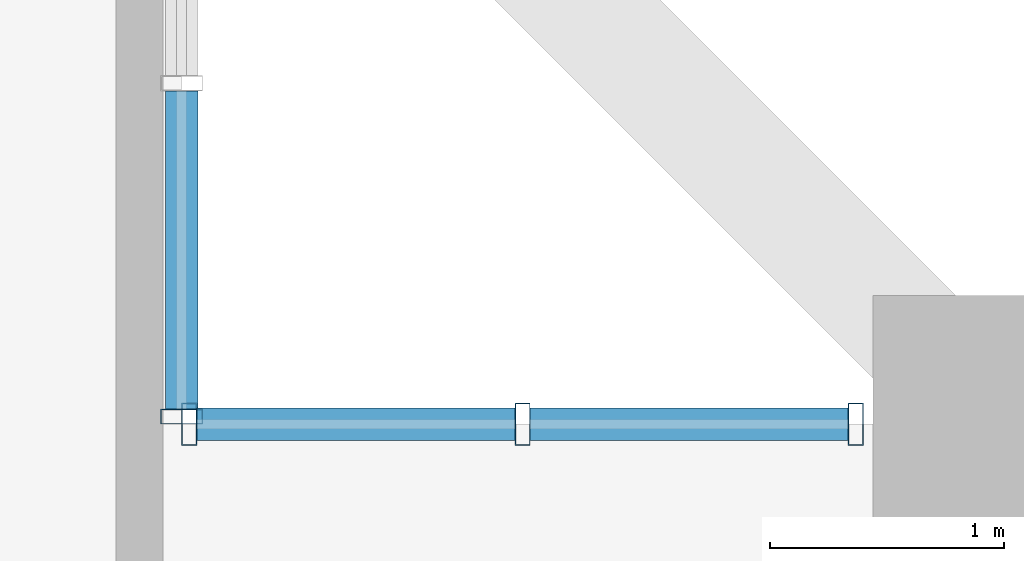
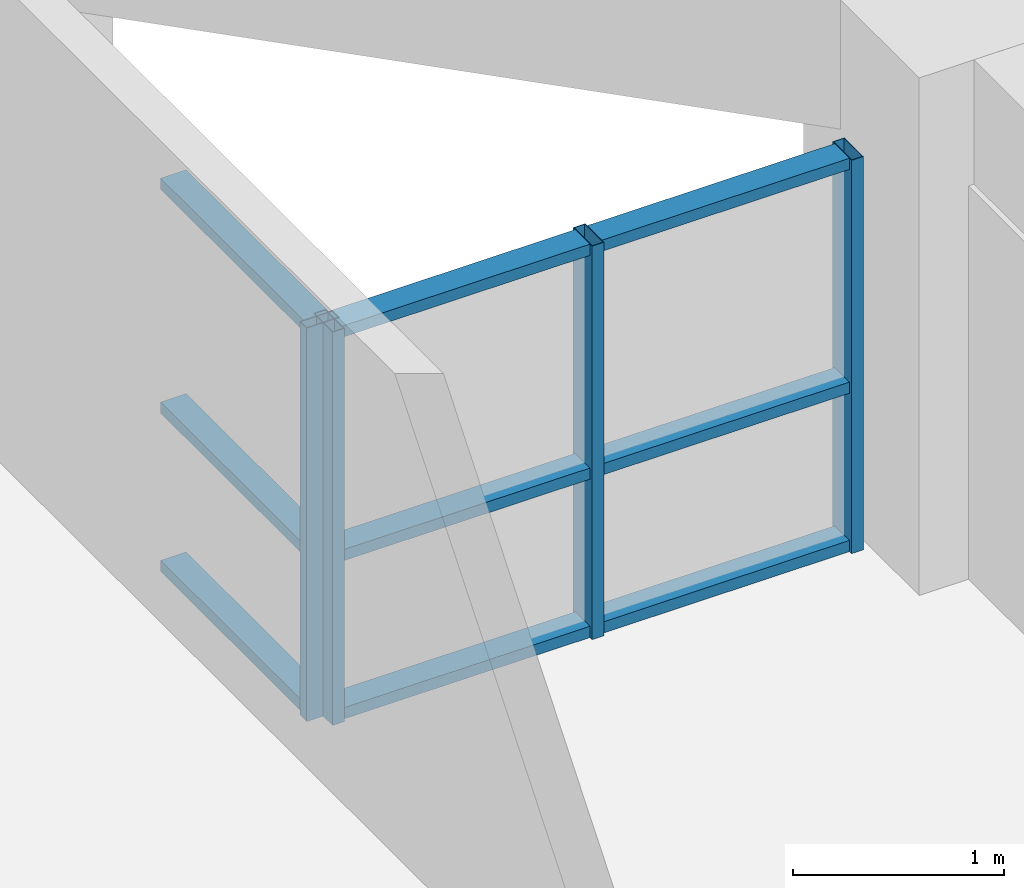
# One storey, part 10 of 27: 13 members, 2 elements without a shape of their own.
"""IFC4 building model written with IfcOpenShell, lengths in metres."""

from ifc_helpers import new_model, si_unit, direction, frame, origin, origin_2d, place, context, subcontext, project, spatial, hollow_rectangle, extrude, source, transform, mapped, material, layer, layer_set, material_profile, profile_set, type_object, element, aggregate, save


model = new_model("IFC4")

# Units and contexts
model_context = context("Model", 3, precision=1e-05, world=origin(), true_north=direction((0.0, 1.0)))
body_context = subcontext(model_context, "Body", "Model", "MODEL_VIEW")
ifc_project = project(units=[si_unit("LENGTHUNIT", "METRE"), si_unit("AREAUNIT", "SQUARE_METRE"), si_unit("VOLUMEUNIT", "CUBIC_METRE"), si_unit("PLANEANGLEUNIT", "RADIAN"), si_unit("MASSUNIT", "GRAM", prefix="KILO")], contexts=[model_context])

# Site, building, storey
site_placement = place(None, origin())
site = spatial("IfcSite", under=ifc_project, at=site_placement, CompositionType="ELEMENT")
building_placement = place(site_placement, origin())
building = spatial("IfcBuilding", under=site, at=building_placement, Name="Saelheon Loggia Tower", CompositionType="ELEMENT")
storey_placement = place(building_placement, frame((0.0, 0.0, 34.39990234375)))
storey = spatial("IfcBuildingStorey", under=building, at=storey_placement, Name="L10", CompositionType="ELEMENT", Elevation=34.39990234375)

# Curtain wall, member
ifc_material_1 = material(Name="Thermal-Break Aluminium and Triple Low-E Glass", Category="aluminium")
ifc_layer = layer(ifc_material_1, 0.159912109375)
ifc_layer_set = layer_set([ifc_layer], Name="Thermal-Break Aluminium and Triple Low-E Glass")
curtain_wall_type = type_object("IfcCurtainWallType", Name="CW_TowerLoggiaLow", PredefinedType="NOTDEFINED", material=ifc_layer_set)
curtain_wall_1_placement = place(storey_placement, origin())
curtain_wall_1 = element("IfcCurtainWall", 1, at=curtain_wall_1_placement, inside=storey, type_object=curtain_wall_type, Name="L10 Corner Notch Glazing NE1", PredefinedType="NOTDEFINED")
ifc_material_2 = material(Name="Anodised Aluminium 6063-T6", Category="aluminium")
ifc_material_profile_1 = material_profile(ifc_material_2, hollow_rectangle(XDim=0.06494140625, YDim=0.179931640625, WallThickness=0.00390625, at=origin_2d()), Name="RHS-180x65x4")
ifc_profile_set_1 = profile_set([ifc_material_profile_1], Name="Anodised Aluminium 6063-T6")
member_type_1 = type_object("IfcMemberType", Name="CW_TowerLoggiaLow_Mullion", PredefinedType="MULLION", material=ifc_profile_set_1)
shared_shape_1 = source(origin(), body_context, "Body", "SweptSolid", [
    extrude(hollow_rectangle(XDim=0.06494140625, YDim=0.179931640625, WallThickness=0.00390625, at=origin_2d()), origin(), (0.0, 0.0, 1.0), 2.280029296875),
])
member_1_placement = place(storey_placement, frame((60.5, 47.532470703125, 0.0), z_axis=(0.0, 0.0, 1.0), x_axis=(0.0, 1.0, 0.0)))
member_1 = element("IfcMember", 2, at=member_1_placement, type_object=member_type_1, Name="CW3 mullion 1", PredefinedType="MULLION", context=body_context, shape_type="MappedRepresentation", body=[
    mapped(shared_shape_1, transform((0.0, 0.0, 0.0), scale=1.0)),
])

# Curtain wall, members
curtain_wall_2_placement = place(storey_placement, origin())
curtain_wall_2 = element("IfcCurtainWall", 3, at=curtain_wall_2_placement, inside=storey, type_object=curtain_wall_type, Name="L10 Corner Notch Glazing NE2", PredefinedType="NOTDEFINED")
member_2_placement = place(storey_placement, frame((60.532470703125, 47.5, 0.0), z_axis=(0.0, 0.0, 1.0), x_axis=(1.0, 0.0, 0.0)))
member_2 = element("IfcMember", 4, at=member_2_placement, type_object=member_type_1, Name="CW3 mullion 1", PredefinedType="MULLION", context=body_context, shape_type="MappedRepresentation", body=[
    mapped(shared_shape_1, transform((0.0, 0.0, 0.0), scale=1.0)),
])
member_3_placement = place(storey_placement, frame((61.955078125, 47.5, 0.0), z_axis=(0.0, 0.0, 1.0), x_axis=(1.0, 0.0, 0.0)))
member_3 = element("IfcMember", 5, at=member_3_placement, type_object=member_type_1, Name="CW3 mullion 2", PredefinedType="MULLION", context=body_context, shape_type="MappedRepresentation", body=[
    mapped(shared_shape_1, transform((0.0, 0.0, 0.0), scale=1.0)),
])
member_4_placement = place(storey_placement, frame((63.37744140625, 47.5, 0.0), z_axis=(0.0, 0.0, 1.0), x_axis=(1.0, 0.0, 0.0)))
member_4 = element("IfcMember", 6, at=member_4_placement, type_object=member_type_1, Name="CW3 mullion 3", PredefinedType="MULLION", context=body_context, shape_type="MappedRepresentation", body=[
    mapped(shared_shape_1, transform((0.0, 0.0, 0.0), scale=1.0)),
])
ifc_material_profile_2 = material_profile(ifc_material_2, hollow_rectangle(XDim=0.06494140625, YDim=0.139892578125, WallThickness=0.00390625, at=origin_2d()), Name="RHS-140x65x4")
ifc_profile_set_2 = profile_set([ifc_material_profile_2], Name="Anodised Aluminium 6063-T6")
member_type_2 = type_object("IfcMemberType", Name="CW_TowerLoggiaLow_Transom", PredefinedType="USERDEFINED", material=ifc_profile_set_2)
shared_shape_2 = source(origin(), body_context, "Body", "SweptSolid", [
    extrude(hollow_rectangle(XDim=0.06494140625, YDim=0.139892578125, WallThickness=0.00390625, at=origin_2d()), origin(), (0.0, 0.0, 1.0), 1.357421875),
])
member_5_placement = place(storey_placement, frame((61.987548828125, 47.5, 0.03271484375), z_axis=(1.0, 0.0, 0.0), x_axis=(0.0, 0.0, 1.0)))
member_5 = element("IfcMember", 7, at=member_5_placement, type_object=member_type_2, Name="CW3 transom 2.1", ObjectType="TRANSOM", PredefinedType="USERDEFINED", context=body_context, shape_type="MappedRepresentation", body=[
    mapped(shared_shape_2, transform((0.0, 0.0, 0.0), scale=1.0)),
])
member_6_placement = place(storey_placement, frame((61.987548828125, 47.5, 0.9501953125), z_axis=(1.0, 0.0, 0.0), x_axis=(0.0, 0.0, 1.0)))
member_6 = element("IfcMember", 8, at=member_6_placement, type_object=member_type_2, Name="CW3 transom 2.2", ObjectType="TRANSOM", PredefinedType="USERDEFINED", context=body_context, shape_type="MappedRepresentation", body=[
    mapped(shared_shape_2, transform((0.0, 0.0, 0.0), scale=1.0)),
])
member_7_placement = place(storey_placement, frame((61.987548828125, 47.5, 2.24755859375), z_axis=(1.0, 0.0, 0.0), x_axis=(0.0, 0.0, 1.0)))
member_7 = element("IfcMember", 9, at=member_7_placement, type_object=member_type_2, Name="CW3 transom 2.3", ObjectType="TRANSOM", PredefinedType="USERDEFINED", context=body_context, shape_type="MappedRepresentation", body=[
    mapped(shared_shape_2, transform((0.0, 0.0, 0.0), scale=1.0)),
])

# Member
shared_shape_3 = source(origin(), body_context, "Body", "SweptSolid", [
    extrude(hollow_rectangle(XDim=0.06494140625, YDim=0.139892578125, WallThickness=0.00390625, at=origin_2d()), origin(), (0.0, 0.0, 1.0), 1.357666015625),
])
member_8_placement = place(storey_placement, frame((60.5, 47.56494140625, 0.03271484375), z_axis=(0.0, 1.0, 0.0), x_axis=(0.0, 0.0, 1.0)))
member_8 = element("IfcMember", 10, at=member_8_placement, type_object=member_type_2, Name="CW3 transom 1.1", ObjectType="TRANSOM", PredefinedType="USERDEFINED", context=body_context, shape_type="MappedRepresentation", body=[
    mapped(shared_shape_3, transform((0.0, 0.0, 0.0), scale=1.0)),
])

member_9_placement = place(storey_placement, frame((60.5, 47.56494140625, 0.9501953125), z_axis=(0.0, 1.0, 0.0), x_axis=(0.0, 0.0, 1.0)))
member_9 = element("IfcMember", 11, at=member_9_placement, type_object=member_type_2, Name="CW3 transom 1.2", ObjectType="TRANSOM", PredefinedType="USERDEFINED", context=body_context, shape_type="MappedRepresentation", body=[
    mapped(shared_shape_3, transform((0.0, 0.0, 0.0), scale=1.0)),
])

member_10_placement = place(storey_placement, frame((60.5, 47.56494140625, 2.24755859375), z_axis=(0.0, 1.0, 0.0), x_axis=(0.0, 0.0, 1.0)))
member_10 = element("IfcMember", 12, at=member_10_placement, type_object=member_type_2, Name="CW3 transom 1.3", ObjectType="TRANSOM", PredefinedType="USERDEFINED", context=body_context, shape_type="MappedRepresentation", body=[
    mapped(shared_shape_3, transform((0.0, 0.0, 0.0), scale=1.0)),
])

aggregate(curtain_wall_1, [member_1, member_8, member_9, member_10])

member_11_placement = place(storey_placement, frame((60.56494140625, 47.5, 0.03271484375), z_axis=(1.0, 0.0, 0.0), x_axis=(0.0, 0.0, 1.0)))
member_11 = element("IfcMember", 13, at=member_11_placement, type_object=member_type_2, Name="CW3 transom 1.1", ObjectType="TRANSOM", PredefinedType="USERDEFINED", context=body_context, shape_type="MappedRepresentation", body=[
    mapped(shared_shape_3, transform((0.0, 0.0, 0.0), scale=1.0)),
])

member_12_placement = place(storey_placement, frame((60.56494140625, 47.5, 0.9501953125), z_axis=(1.0, 0.0, 0.0), x_axis=(0.0, 0.0, 1.0)))
member_12 = element("IfcMember", 14, at=member_12_placement, type_object=member_type_2, Name="CW3 transom 1.2", ObjectType="TRANSOM", PredefinedType="USERDEFINED", context=body_context, shape_type="MappedRepresentation", body=[
    mapped(shared_shape_3, transform((0.0, 0.0, 0.0), scale=1.0)),
])

member_13_placement = place(storey_placement, frame((60.56494140625, 47.5, 2.24755859375), z_axis=(1.0, 0.0, 0.0), x_axis=(0.0, 0.0, 1.0)))
member_13 = element("IfcMember", 15, at=member_13_placement, type_object=member_type_2, Name="CW3 transom 1.3", ObjectType="TRANSOM", PredefinedType="USERDEFINED", context=body_context, shape_type="MappedRepresentation", body=[
    mapped(shared_shape_3, transform((0.0, 0.0, 0.0), scale=1.0)),
])

aggregate(curtain_wall_2, [member_2, member_3, member_4, member_11, member_12, member_13, member_5, member_6, member_7])

save(model, "model.ifc")
